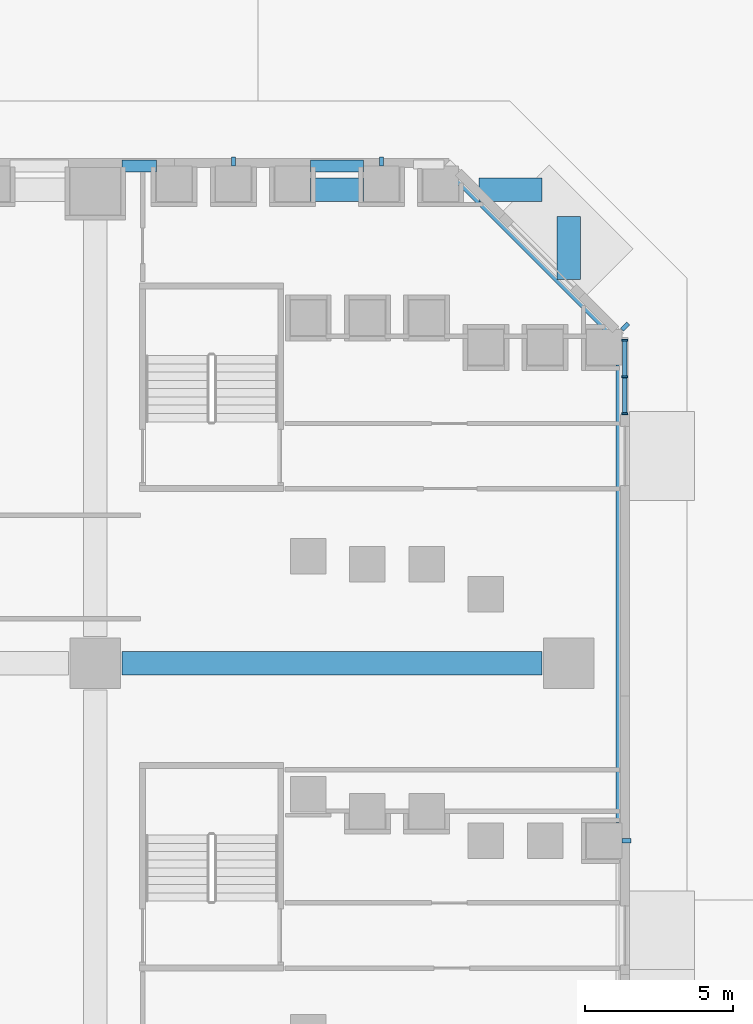
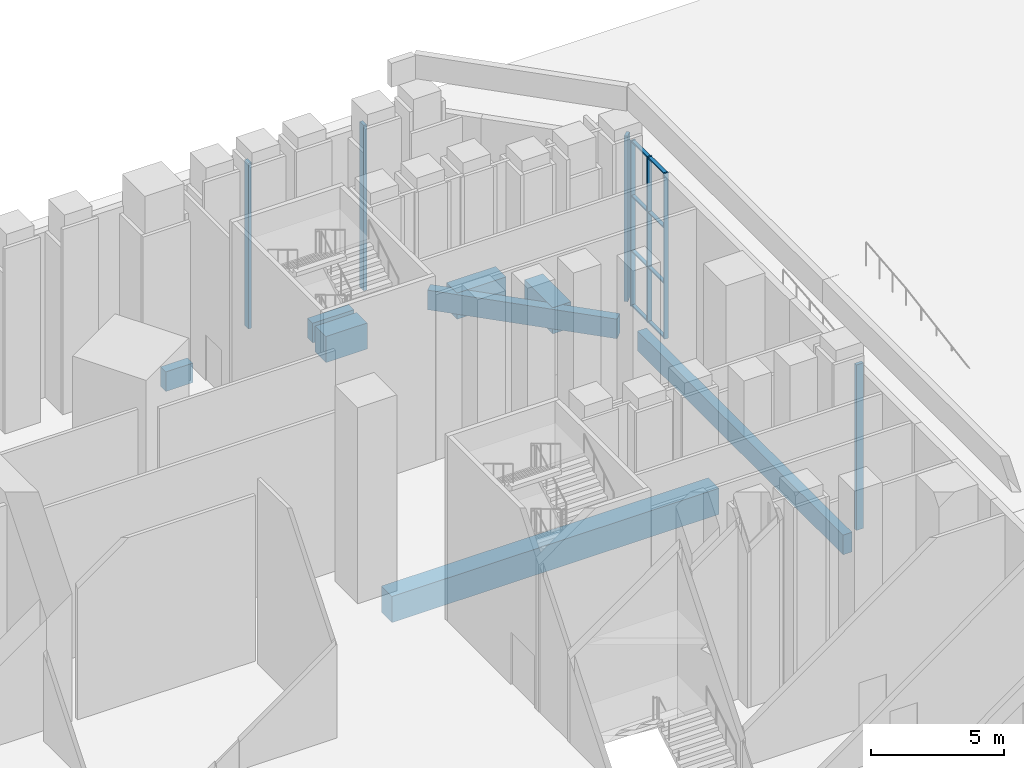
# One storey, part 9 of 51: 15 members, 8 beams, 1 element without a shape of its own.
"""IFC4 building model written with IfcOpenShell, lengths in metres."""

import ifcopenshell
import ifcopenshell.guid

model = None  # the IFC model being written
_history = None  # IfcOwnerHistory: only IFC2X3 demands one
_inside = {}  # id of a spatial element -> (the spatial element, [elements in it])
_under = {}  # id of a project, library or spatial element -> (it, [spatial elements below it])
_declared = {}  # id of a project -> (the project, [libraries it declares])
_typed = {}  # id of a type object -> (the type object, [elements of that type])
_made_of = {}  # id of a material, layer set ... -> (it, [elements and type objects made of it])


def new_model(schema):
    """Start an empty IFC model of exactly this schema.

    Asked for "IFC4X3", IfcOpenShell would pick the latest addendum, in which some entities
    have other attributes; the version numbers below select the first issue.
    IFC2X3 requires an IfcOwnerHistory on every rooted entity: one is made here for all.
    """
    global model, _history
    if schema == "IFC4X3":
        model = ifcopenshell.file(schema_version=(4, 3, 0, 0))
    else:
        model = ifcopenshell.file(schema=schema)
    _inside.clear()
    _under.clear()
    _declared.clear()
    _typed.clear()
    _made_of.clear()
    _history = None
    if model.schema == "IFC2X3":
        org = make("IfcOrganization", Name="unknown")
        user = make(
            "IfcPersonAndOrganization",
            ThePerson=make("IfcPerson", FamilyName="unknown"),
            TheOrganization=org,
        )
        app = make(
            "IfcApplication",
            ApplicationDeveloper=org,
            Version="unknown",
            ApplicationFullName="unknown",
            ApplicationIdentifier="unknown",
        )
        _history = make(
            "IfcOwnerHistory",
            OwningUser=user,
            OwningApplication=app,
            ChangeAction="ADDED",
            CreationDate=0,
        )
    return model


def make(cls, **values):
    """One entity of the class cls with the attributes given. An attribute that is None is left unset."""
    return model.create_entity(
        cls, **{name: value for name, value in values.items() if value is not None}
    )


def rooted(cls, **values):
    """An entity with a GlobalId (a new one), such as an element, a storey or a relation."""
    return make(cls, GlobalId=ifcopenshell.guid.new(), OwnerHistory=_history, **values)


def si_unit(unit_type, name, prefix=None):
    """IfcSIUnit, for example si_unit("LENGTHUNIT", "METRE", prefix="MILLI")."""
    return make("IfcSIUnit", UnitType=unit_type, Prefix=prefix, Name=name)


def assignment(units):
    """IfcUnitAssignment: the units of a project."""
    return None if units is None else make("IfcUnitAssignment", Units=units)


def point(xyz):
    """IfcCartesianPoint."""
    return None if xyz is None else make("IfcCartesianPoint", Coordinates=xyz)


def direction(xyz):
    """IfcDirection."""
    return None if xyz is None else make("IfcDirection", DirectionRatios=xyz)


def frame(location, z_axis=None, x_axis=None):
    """IfcAxis2Placement3D, a coordinate frame: its origin and axes. An axis left out is left unset."""
    return make(
        "IfcAxis2Placement3D",
        Location=point(location),
        Axis=direction(z_axis),
        RefDirection=direction(x_axis),
    )


def frame_2d(location, x_axis=None):
    """IfcAxis2Placement2D, a coordinate frame in the plane: its origin and x axis."""
    return make(
        "IfcAxis2Placement2D", Location=point(location), RefDirection=direction(x_axis)
    )


def origin():
    """The frame at (0, 0, 0) with its axes left unset."""
    return frame((0.0, 0.0, 0.0))


def origin_2d():
    """The frame at (0, 0) in the plane with its x axis left unset."""
    return frame_2d((0.0, 0.0))


def place(relative_to, where):
    """IfcLocalPlacement: puts the frame where relative to a parent placement (None: the world)."""
    return make(
        "IfcLocalPlacement", PlacementRelTo=relative_to, RelativePlacement=where
    )


def context(
    kind, dimensions, precision=None, world=None, true_north=None, identifier=None
):
    """IfcGeometricRepresentationContext, for example the 3D "Model" context."""
    return make(
        "IfcGeometricRepresentationContext",
        ContextIdentifier=identifier,
        ContextType=kind,
        CoordinateSpaceDimension=dimensions,
        Precision=precision,
        WorldCoordinateSystem=world,
        TrueNorth=true_north,
    )


def subcontext(parent, identifier, kind, view, scale=None):
    """IfcGeometricRepresentationSubContext, for example "Body" below "Model"."""
    return make(
        "IfcGeometricRepresentationSubContext",
        ContextIdentifier=identifier,
        ContextType=kind,
        ParentContext=parent,
        TargetScale=scale,
        TargetView=view,
    )


def project(units=None, contexts=None):
    """IfcProject with its units and contexts."""
    return rooted(
        "IfcProject",
        Name="project",
        RepresentationContexts=contexts,
        UnitsInContext=assignment(units),
    )


def spatial(cls, under=None, at=None, **own):
    """A site, building, storey or space (cls), placed at a placement, below another one or the project."""
    s = rooted(cls, ObjectPlacement=at, **own)
    if under is not None:
        _under.setdefault(under.id(), (under, []))[1].append(s)
    return s


def profile(cls, at=None, kind="AREA", **sizes):
    """A parametric profile (cls). Its sizes go by their IFC names, for example OverallWidth=200.0."""
    return make(cls, ProfileType=kind, Position=at, **sizes)


def rectangle(**sizes):
    """IfcRectangleProfileDef."""
    return profile("IfcRectangleProfileDef", **sizes)


def extrude(swept, where, along, depth):
    """IfcExtrudedAreaSolid: the profile swept, set in the frame where, extruded along a direction by depth."""
    return make(
        "IfcExtrudedAreaSolid",
        SweptArea=swept,
        Position=where,
        ExtrudedDirection=direction(along),
        Depth=depth,
    )


def shape(context_of_items, identifier, shape_type, items):
    """IfcShapeRepresentation: the items that make up one representation, for example the "Body"."""
    return make(
        "IfcShapeRepresentation",
        ContextOfItems=context_of_items,
        RepresentationIdentifier=identifier,
        RepresentationType=shape_type,
        Items=items,
    )


def material(Name=None, Category=None):
    """IfcMaterial."""
    return make("IfcMaterial", Name=Name, Category=Category)


def material_profile(
    of_material, cross_section, Name=None, Category=None, Priority=None
):
    """IfcMaterialProfile: a cross section and its material."""
    return make(
        "IfcMaterialProfile",
        Name=Name,
        Material=of_material,
        Profile=cross_section,
        Priority=Priority,
        Category=Category,
    )


def profile_set(profiles, Name=None, composite=None):
    """IfcMaterialProfileSet."""
    return make(
        "IfcMaterialProfileSet",
        Name=Name,
        MaterialProfiles=profiles,
        CompositeProfile=composite,
    )


def made_of(thing, what):
    """Note that an element or type object is made of a material, layer set ...; save() writes the relation."""
    if what is not None:
        _made_of.setdefault(what.id(), (what, []))[1].append(thing)
    return thing


def type_object(cls, material=None, **own):
    """A type object (cls), such as IfcWallType, which elements share."""
    return made_of(rooted(cls, **own), material)


def element(
    cls,
    number,
    at=None,
    inside=None,
    cuts=None,
    type_object=None,
    material=None,
    context=None,
    identifier="Body",
    shape_type=None,
    held_by="IfcProductDefinitionShape",
    body=None,
    shapes=None,
    **own,
):
    """One element of the class cls, such as IfcWall. Its Tag is "e" and its number.

    at: its placement. inside: the storey or other place that contains it. cuts: it is an
    opening in that element (IfcRelVoidsElement). A single representation is given by context,
    identifier, shape_type and body (its items); several are given by shapes. held_by: the class
    of the entity that holds the representations. save() writes the other relations.
    """
    e = rooted(cls, Tag="e%d" % number, ObjectPlacement=at, **own)
    if body is not None:
        shapes = [shape(context, identifier, shape_type, body)]
    if shapes is not None:
        e.Representation = make(held_by, Representations=shapes)
    if inside is not None:
        _inside.setdefault(inside.id(), (inside, []))[1].append(e)
    if cuts is not None:
        rooted(
            "IfcRelVoidsElement", RelatingBuildingElement=cuts, RelatedOpeningElement=e
        )
    if type_object is not None:
        _typed.setdefault(type_object.id(), (type_object, []))[1].append(e)
    return made_of(e, material)


def aggregate(whole, parts):
    """IfcRelAggregates: a whole, such as a stair, and the parts it consists of."""
    return rooted("IfcRelAggregates", RelatingObject=whole, RelatedObjects=parts)


def save(model, path):
    """Write the relations noted so far, then the file.

    IfcRelAggregates (storeys below a building ...), IfcRelContainedInSpatialStructure (elements
    in a storey), IfcRelDefinesByType, IfcRelAssociatesMaterial and IfcRelDeclares: one each for
    every whole, place, type object, material and project.
    """
    for whole, parts in _under.values():
        aggregate(whole, parts)
    for where, things in _inside.values():
        rooted(
            "IfcRelContainedInSpatialStructure",
            RelatedElements=things,
            RelatingStructure=where,
        )
    for kind, things in _typed.values():
        rooted("IfcRelDefinesByType", RelatedObjects=things, RelatingType=kind)
    for what, things in _made_of.values():
        rooted("IfcRelAssociatesMaterial", RelatedObjects=things, RelatingMaterial=what)
    for by, libraries in _declared.values():
        rooted("IfcRelDeclares", RelatingContext=by, RelatedDefinitions=libraries)
    model.write(path)


model = new_model("IFC4")

# Units and contexts
model_context = context("Model", 3, precision=1e-05, world=origin(), true_north=direction((0.0, 1.0)))
body_context = subcontext(model_context, "Body", "Model", "MODEL_VIEW")
ifc_project = project(units=[si_unit("LENGTHUNIT", "METRE"), si_unit("AREAUNIT", "SQUARE_METRE"), si_unit("VOLUMEUNIT", "CUBIC_METRE"), si_unit("PLANEANGLEUNIT", "RADIAN"), si_unit("MASSUNIT", "GRAM", prefix="KILO")], contexts=[model_context])

# Site, building, storey
site_placement = place(None, origin())
site = spatial("IfcSite", under=ifc_project, at=site_placement, CompositionType="ELEMENT")
building_placement = place(site_placement, origin())
building = spatial("IfcBuilding", under=site, at=building_placement, Name="Calabash Gate Tower", CompositionType="ELEMENT")
storey_placement = place(building_placement, origin())
storey = spatial("IfcBuildingStorey", under=building, at=storey_placement, Name="L00", CompositionType="ELEMENT", Elevation=0.0)

# Beams
ifc_material_1 = material(Name="Concrete C50/60", Category="concrete")
ifc_material_profile_1 = material_profile(ifc_material_1, rectangle(XDim=0.39990234375, YDim=0.89990234375, at=origin_2d()))
ifc_profile_set_1 = profile_set([ifc_material_profile_1], Name="Concrete C50/60")
beam_type_1 = type_object("IfcBeamType", Name="Edge beam RC 400x900 Concrete C50/60", PredefinedType="BEAM", material=ifc_profile_set_1)
beam_1_placement = place(storey_placement, frame((32.89990234375, 24.800048828125, -1.0), z_axis=(1.0, 0.0, 0.0), x_axis=(0.0, 1.0, 0.0)))
element("IfcBeam", 1, at=beam_1_placement, inside=storey, type_object=beam_type_1, Name="Edge beam L00 26", PredefinedType="BEAM", context=body_context, shape_type="SweptSolid", body=[
    extrude(rectangle(XDim=0.39990234375, YDim=0.89990234375, at=origin_2d()), origin(), (0.0, 0.0, 1.0), 1.169189453125),
])
beam_2_placement = place(storey_placement, frame((39.26904296875, 24.800048828125, -1.0), z_axis=(1.0, 0.0, 0.0), x_axis=(0.0, 1.0, 0.0)))
element("IfcBeam", 2, at=beam_2_placement, inside=storey, type_object=beam_type_1, Name="Edge beam L00 27", PredefinedType="BEAM", context=body_context, shape_type="SweptSolid", body=[
    extrude(rectangle(XDim=0.39990234375, YDim=0.89990234375, at=origin_2d()), origin(), (0.0, 0.0, 1.0), 1.800048828125),
])
beam_3_placement = place(storey_placement, frame((44.24609375, 24.470947265625, -1.0), z_axis=(0.707106781187, -0.707106781187, 0.0), x_axis=(0.707106781187, 0.707106781187, 0.0)))
element("IfcBeam", 3, at=beam_3_placement, inside=storey, type_object=beam_type_1, Name="Edge beam L00 28", PredefinedType="BEAM", context=body_context, shape_type="SweptSolid", body=[
    extrude(rectangle(XDim=0.39990234375, YDim=0.89990234375, at=origin_2d()), origin(), (0.0, 0.0, 1.0), 7.37939453125),
])
beam_4_placement = place(storey_placement, frame((49.800048828125, 18.069091796875, -1.0), z_axis=(0.0, -1.0, 0.0), x_axis=(1.0, 0.0, 0.0)))
element("IfcBeam", 4, at=beam_4_placement, inside=storey, type_object=beam_type_1, Name="Edge beam L00 29", PredefinedType="BEAM", context=body_context, shape_type="SweptSolid", body=[
    extrude(rectangle(XDim=0.39990234375, YDim=0.89990234375, at=origin_2d()), origin(), (0.0, 0.0, 1.0), 15.468017578125),
])
ifc_material_2 = material(Name="Concrete C50/60", Category="concrete")
ifc_material_profile_2 = material_profile(ifc_material_2, rectangle(XDim=0.800048828125, YDim=1.199951171875, at=origin_2d()))
ifc_profile_set_2 = profile_set([ifc_material_profile_2], Name="Concrete C50/60")
beam_type_2 = type_object("IfcBeamType", Name="Grid girder RC 800x1200 Concrete C50/60", PredefinedType="BEAM", material=ifc_profile_set_2)
beam_5_placement = place(storey_placement, frame((48.0, 20.968017578125, -1.14990234375), z_axis=(0.0, 1.0, 0.0), x_axis=(-1.0, 0.0, 0.0)))
element("IfcBeam", 5, at=beam_5_placement, inside=storey, type_object=beam_type_2, Name="Grid girder L00 28", PredefinedType="BEAM", context=body_context, shape_type="SweptSolid", body=[
    extrude(rectangle(XDim=0.800048828125, YDim=1.199951171875, at=origin_2d()), origin(), (0.0, 0.0, 1.0), 2.132080078125),
])
beam_6_placement = place(storey_placement, frame((32.89990234375, 8.0, -1.14990234375), z_axis=(1.0, 0.0, 0.0), x_axis=(0.0, 1.0, 0.0)))
element("IfcBeam", 6, at=beam_6_placement, inside=storey, type_object=beam_type_2, Name="Grid girder L00 46", PredefinedType="BEAM", context=body_context, shape_type="SweptSolid", body=[
    extrude(rectangle(XDim=0.800048828125, YDim=1.199951171875, at=origin_2d()), origin(), (0.0, 0.0, 1.0), 14.2001953125),
])
beam_7_placement = place(storey_placement, frame((39.26904296875, 24.0, -1.14990234375), z_axis=(1.0, 0.0, 0.0), x_axis=(0.0, 1.0, 0.0)))
element("IfcBeam", 7, at=beam_7_placement, inside=storey, type_object=beam_type_2, Name="Grid girder L00 63", PredefinedType="BEAM", context=body_context, shape_type="SweptSolid", body=[
    extrude(rectangle(XDim=0.800048828125, YDim=1.199951171875, at=origin_2d()), origin(), (0.0, 0.0, 1.0), 1.800048828125),
])
beam_8_placement = place(storey_placement, frame((44.968017578125, 24.0, -1.14990234375), z_axis=(1.0, 0.0, 0.0), x_axis=(0.0, 1.0, 0.0)))
element("IfcBeam", 8, at=beam_8_placement, inside=storey, type_object=beam_type_2, Name="Grid girder L00 64", PredefinedType="BEAM", context=body_context, shape_type="SweptSolid", body=[
    extrude(rectangle(XDim=0.800048828125, YDim=1.199951171875, at=origin_2d()), origin(), (0.0, 0.0, 1.0), 2.132080078125),
])

# Curtain wall, members
ifc_material_3 = material(Name="Anodised aluminium frame, bronze finish, clear laminated impact-rated glazing", Category="aluminium")
curtain_wall_type = type_object("IfcCurtainWallType", Name="Curtain wall CWF podium shopfront", PredefinedType="NOTDEFINED", material=ifc_material_3)
curtain_wall_placement = place(storey_placement, origin())
curtain_wall = element("IfcCurtainWall", 9, at=curtain_wall_placement, inside=storey, type_object=curtain_wall_type, Name="Curtain wall CWF L00 2.1.0", PredefinedType="NOTDEFINED")
ifc_material_4 = material(Name="Anodised aluminium frame, bronze finish", Category="aluminium")
ifc_material_profile_3 = material_profile(ifc_material_4, rectangle(XDim=0.199951171875, YDim=0.06494140625, at=origin_2d()))
ifc_profile_set_3 = profile_set([ifc_material_profile_3], Name="Anodised aluminium frame, bronze finish")
member_type_1 = type_object("IfcMemberType", Name="Mullion CWF 65x200", PredefinedType="MULLION", material=ifc_profile_set_3)
member_1_placement = place(storey_placement, frame((49.89990234375, 16.4326171875, 0.0), z_axis=(0.0, 0.0, 1.0), x_axis=(-1.0, 0.0, 0.0)))
member_1 = element("IfcMember", 10, at=member_1_placement, type_object=member_type_1, Name="CWF mullion 1", PredefinedType="MULLION", context=body_context, shape_type="SweptSolid", body=[
    extrude(rectangle(XDim=0.199951171875, YDim=0.06494140625, at=origin_2d()), origin(), (0.0, 0.0, 1.0), 7.60009765625),
])
member_2_placement = place(storey_placement, frame((49.89990234375, 17.675048828125, 0.0), z_axis=(0.0, 0.0, 1.0), x_axis=(-1.0, 0.0, 0.0)))
member_2 = element("IfcMember", 11, at=member_2_placement, type_object=member_type_1, Name="CWF mullion 2", PredefinedType="MULLION", context=body_context, shape_type="SweptSolid", body=[
    extrude(rectangle(XDim=0.199951171875, YDim=0.06494140625, at=origin_2d()), origin(), (0.0, 0.0, 1.0), 7.60009765625),
])
member_3_placement = place(storey_placement, frame((49.89990234375, 18.91748046875, 0.0), z_axis=(0.0, 0.0, 1.0), x_axis=(-1.0, 0.0, 0.0)))
member_3 = element("IfcMember", 12, at=member_3_placement, type_object=member_type_1, Name="CWF mullion 3", PredefinedType="MULLION", context=body_context, shape_type="SweptSolid", body=[
    extrude(rectangle(XDim=0.199951171875, YDim=0.06494140625, at=origin_2d()), origin(), (0.0, 0.0, 1.0), 7.60009765625),
])

# Members
ifc_material_5 = material(Name="Terracotta brick masonry, baguette fin", Category="masonry")
ifc_material_profile_4 = material_profile(ifc_material_5, rectangle(XDim=0.139892578125, YDim=0.300048828125, at=origin_2d()))
ifc_profile_set_4 = profile_set([ifc_material_profile_4], Name="Terracotta brick masonry, baguette fin")
member_type_2 = type_object("IfcMemberType", Name="Terracotta baguette 140x300", PredefinedType="USERDEFINED", material=ifc_profile_set_4)
for number, where, z_axis, x_axis, name in (
    (13, (49.949951171875, 2.0009765625, 0.0), (0.0, 0.0, 1.0), (0.0, 1.0, 0.0), "BAGUETTE L00 15"),
    (14, (49.906005859375, 19.375, 0.0), (0.0, 0.0, 1.0), (-0.707106781187, 0.707106781187, 0.0), "BAGUETTE L00 16"),
    (15, (36.6689453125, 24.949951171875, 0.0), (0.0, 0.0, 1.0), (-1.0, 0.0, 0.0), "BAGUETTE L00 28"),
    (16, (41.6689453125, 24.949951171875, 0.0), (0.0, 0.0, 1.0), (-1.0, 0.0, 0.0), "BAGUETTE L00 29"),
):
    element("IfcMember", number, at=place(storey_placement, frame(where, z_axis=z_axis, x_axis=x_axis)), inside=storey, type_object=member_type_2, Name=name, ObjectType="BAGUETTE", PredefinedType="USERDEFINED", context=body_context, shape_type="SweptSolid", body=[
        extrude(rectangle(XDim=0.139892578125, YDim=0.300048828125, at=origin_2d()), origin(), (0.0, 0.0, 1.0), 7.60009765625),
    ])

# Member
ifc_material_6 = material(Name="Anodised aluminium frame, bronze finish", Category="aluminium")
ifc_material_profile_5 = material_profile(ifc_material_6, rectangle(XDim=0.14990234375, YDim=0.06494140625, at=origin_2d()))
ifc_profile_set_5 = profile_set([ifc_material_profile_5], Name="Anodised aluminium frame, bronze finish")
member_type_3 = type_object("IfcMemberType", Name="Transom CWF 65x150", PredefinedType="USERDEFINED", material=ifc_profile_set_5)
member_4_placement = place(storey_placement, frame((49.89990234375, 16.465087890625, 0.032470703125), z_axis=(0.0, 1.0, 0.0), x_axis=(-1.0, 0.0, 0.0)))
member_4 = element("IfcMember", 17, at=member_4_placement, type_object=member_type_3, Name="CWF transom 1.1", ObjectType="TRANSOM", PredefinedType="USERDEFINED", context=body_context, shape_type="SweptSolid", body=[
    extrude(rectangle(XDim=0.14990234375, YDim=0.06494140625, at=origin_2d()), origin(), (0.0, 0.0, 1.0), 1.177490234375),
])

member_5_placement = place(storey_placement, frame((49.89990234375, 16.465087890625, 2.533447265625), z_axis=(0.0, 1.0, 0.0), x_axis=(-1.0, 0.0, 0.0)))
member_5 = element("IfcMember", 18, at=member_5_placement, type_object=member_type_3, Name="CWF transom 1.2", ObjectType="TRANSOM", PredefinedType="USERDEFINED", context=body_context, shape_type="SweptSolid", body=[
    extrude(rectangle(XDim=0.14990234375, YDim=0.06494140625, at=origin_2d()), origin(), (0.0, 0.0, 1.0), 1.177490234375),
])

member_6_placement = place(storey_placement, frame((49.89990234375, 16.465087890625, 5.066650390625), z_axis=(0.0, 1.0, 0.0), x_axis=(-1.0, 0.0, 0.0)))
member_6 = element("IfcMember", 19, at=member_6_placement, type_object=member_type_3, Name="CWF transom 1.3", ObjectType="TRANSOM", PredefinedType="USERDEFINED", context=body_context, shape_type="SweptSolid", body=[
    extrude(rectangle(XDim=0.14990234375, YDim=0.06494140625, at=origin_2d()), origin(), (0.0, 0.0, 1.0), 1.177490234375),
])

member_7_placement = place(storey_placement, frame((49.89990234375, 16.465087890625, 7.5673828125), z_axis=(0.0, 1.0, 0.0), x_axis=(-1.0, 0.0, 0.0)))
member_7 = element("IfcMember", 20, at=member_7_placement, type_object=member_type_3, Name="CWF transom 1.4", ObjectType="TRANSOM", PredefinedType="USERDEFINED", context=body_context, shape_type="SweptSolid", body=[
    extrude(rectangle(XDim=0.14990234375, YDim=0.06494140625, at=origin_2d()), origin(), (0.0, 0.0, 1.0), 1.177490234375),
])

member_8_placement = place(storey_placement, frame((49.89990234375, 17.70751953125, 0.032470703125), z_axis=(0.0, 1.0, 0.0), x_axis=(-1.0, 0.0, 0.0)))
member_8 = element("IfcMember", 21, at=member_8_placement, type_object=member_type_3, Name="CWF transom 2.1", ObjectType="TRANSOM", PredefinedType="USERDEFINED", context=body_context, shape_type="SweptSolid", body=[
    extrude(rectangle(XDim=0.14990234375, YDim=0.06494140625, at=origin_2d()), origin(), (0.0, 0.0, 1.0), 1.177490234375),
])

member_9_placement = place(storey_placement, frame((49.89990234375, 17.70751953125, 2.533447265625), z_axis=(0.0, 1.0, 0.0), x_axis=(-1.0, 0.0, 0.0)))
member_9 = element("IfcMember", 22, at=member_9_placement, type_object=member_type_3, Name="CWF transom 2.2", ObjectType="TRANSOM", PredefinedType="USERDEFINED", context=body_context, shape_type="SweptSolid", body=[
    extrude(rectangle(XDim=0.14990234375, YDim=0.06494140625, at=origin_2d()), origin(), (0.0, 0.0, 1.0), 1.177490234375),
])

member_10_placement = place(storey_placement, frame((49.89990234375, 17.70751953125, 5.066650390625), z_axis=(0.0, 1.0, 0.0), x_axis=(-1.0, 0.0, 0.0)))
member_10 = element("IfcMember", 23, at=member_10_placement, type_object=member_type_3, Name="CWF transom 2.3", ObjectType="TRANSOM", PredefinedType="USERDEFINED", context=body_context, shape_type="SweptSolid", body=[
    extrude(rectangle(XDim=0.14990234375, YDim=0.06494140625, at=origin_2d()), origin(), (0.0, 0.0, 1.0), 1.177490234375),
])

member_11_placement = place(storey_placement, frame((49.89990234375, 17.70751953125, 7.5673828125), z_axis=(0.0, 1.0, 0.0), x_axis=(-1.0, 0.0, 0.0)))
member_11 = element("IfcMember", 24, at=member_11_placement, type_object=member_type_3, Name="CWF transom 2.4", ObjectType="TRANSOM", PredefinedType="USERDEFINED", context=body_context, shape_type="SweptSolid", body=[
    extrude(rectangle(XDim=0.14990234375, YDim=0.06494140625, at=origin_2d()), origin(), (0.0, 0.0, 1.0), 1.177490234375),
])

aggregate(curtain_wall, [member_1, member_2, member_3, member_4, member_5, member_6, member_7, member_8, member_9, member_10, member_11])

save(model, "model.ifc")
